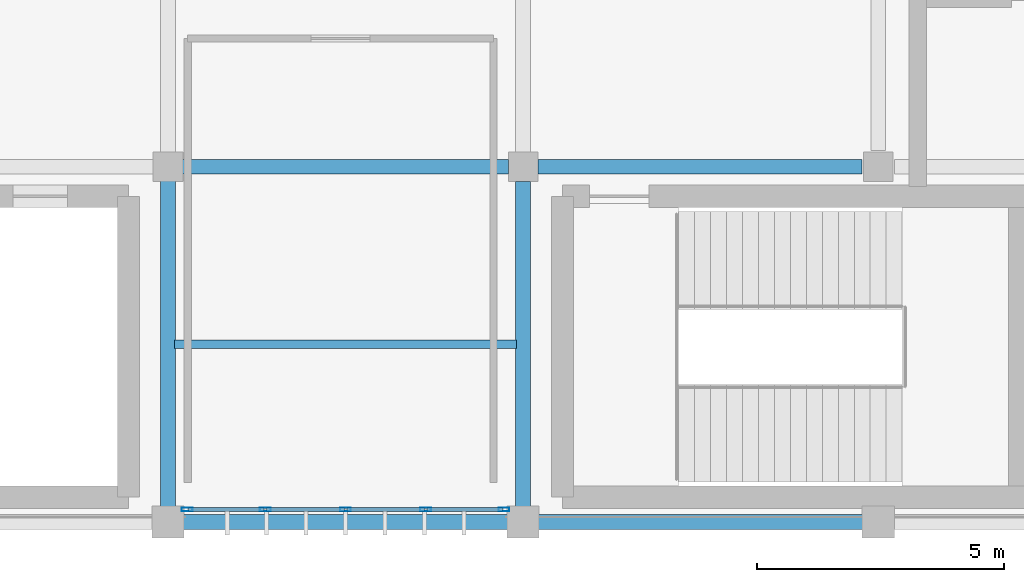
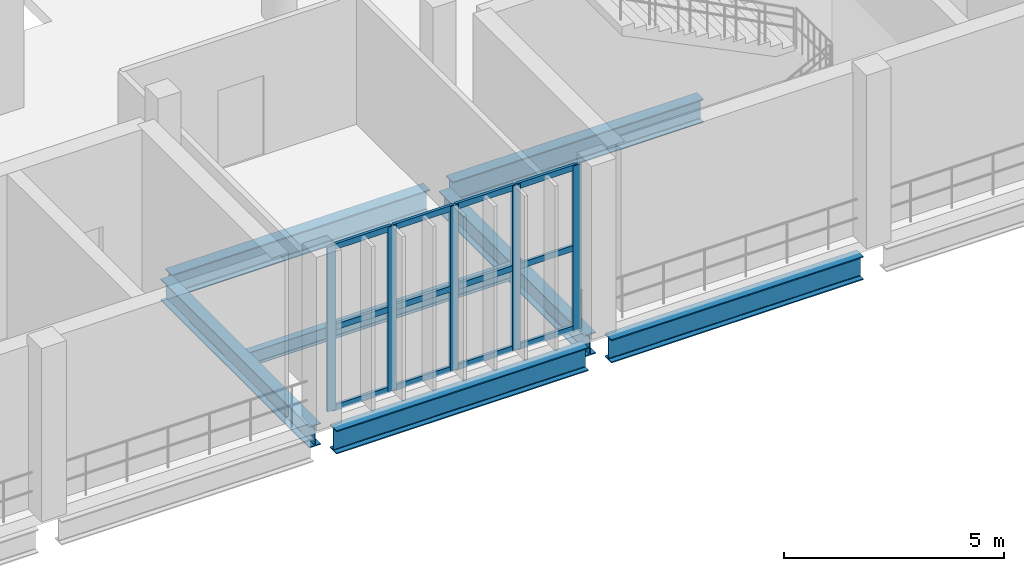
# One storey, part 19 of 105: 17 members, 7 beams, 1 element without a shape of its own.
"""IFC4 building model written with IfcOpenShell, lengths in metres."""

from ifc_helpers import new_model, si_unit, direction, frame, origin, origin_2d, place, context, subcontext, project, spatial, hollow_rectangle, i_section, extrude, material, material_profile, profile_set, type_object, element, aggregate, save


model = new_model("IFC4")

# Units and contexts
model_context = context("Model", 3, precision=1e-05, world=origin(), true_north=direction((0.0, 1.0)))
body_context = subcontext(model_context, "Body", "Model", "MODEL_VIEW")
ifc_project = project(units=[si_unit("LENGTHUNIT", "METRE"), si_unit("AREAUNIT", "SQUARE_METRE"), si_unit("VOLUMEUNIT", "CUBIC_METRE"), si_unit("PLANEANGLEUNIT", "RADIAN"), si_unit("MASSUNIT", "GRAM", prefix="KILO")], contexts=[model_context])

# Site, building, storey
site_placement = place(None, origin())
site = spatial("IfcSite", under=ifc_project, at=site_placement, CompositionType="ELEMENT")
building_placement = place(site_placement, origin())
building = spatial("IfcBuilding", under=site, at=building_placement, Name="Qandorah Velis Arena", CompositionType="ELEMENT")
storey_placement = place(building_placement, frame((0.0, 0.0, 13.800048828125)))
storey = spatial("IfcBuildingStorey", under=building, at=storey_placement, Name="L03", CompositionType="ELEMENT", Elevation=13.800048828125)

# Curtain wall, members
ifc_material_1 = material(Name="Solar-control low-E double glazing", Category="glass")
curtain_wall_type = type_object("IfcCurtainWallType", Name="ARC-CW-SYS21", PredefinedType="USERDEFINED", material=ifc_material_1)
curtain_wall_placement = place(storey_placement, origin())
curtain_wall = element("IfcCurtainWall", 1, at=curtain_wall_placement, inside=storey, type_object=curtain_wall_type, Name="Unitised curtain wall L03-069", ObjectType="UNITISED CURTAIN WALL", PredefinedType="USERDEFINED")
ifc_material_2 = material(Name="Champagne-bronze anodized aluminium 6063-T6", Category="aluminium")
ifc_material_profile_1 = material_profile(ifc_material_2, hollow_rectangle(XDim=0.074951171875, YDim=0.219970703125, WallThickness=0.00390625, at=origin_2d()), Name="ALU MULLION 75x220")
ifc_profile_set_1 = profile_set([ifc_material_profile_1], Name="Champagne-bronze anodized aluminium 6063-T6")
member_type_1 = type_object("IfcMemberType", Name="ARC-CWM-220", PredefinedType="MULLION", material=ifc_profile_set_1)
member_1_placement = place(storey_placement, frame((65.1875, 0.25, -0.01513671875), z_axis=(0.0, 0.0, 1.0), x_axis=(0.0, 1.0, 0.0)))
member_1 = element("IfcMember", 2, at=member_1_placement, type_object=member_type_1, Name="CW21 mullion 1", PredefinedType="MULLION", context=body_context, shape_type="SweptSolid", body=[
    extrude(hollow_rectangle(XDim=0.074951171875, YDim=0.219970703125, WallThickness=0.00390625, at=origin_2d()), origin(), (0.0, 0.0, 1.0), 4.56005859375),
])
member_2_placement = place(storey_placement, frame((66.77490234375, 0.25, -0.01513671875), z_axis=(0.0, 0.0, 1.0), x_axis=(0.0, 1.0, 0.0)))
member_2 = element("IfcMember", 3, at=member_2_placement, type_object=member_type_1, Name="CW21 mullion 2", PredefinedType="MULLION", context=body_context, shape_type="SweptSolid", body=[
    extrude(hollow_rectangle(XDim=0.074951171875, YDim=0.219970703125, WallThickness=0.00390625, at=origin_2d()), origin(), (0.0, 0.0, 1.0), 4.56005859375),
])
member_3_placement = place(storey_placement, frame((68.39990234375, 0.25, -0.01513671875), z_axis=(0.0, 0.0, 1.0), x_axis=(0.0, 1.0, 0.0)))
member_3 = element("IfcMember", 4, at=member_3_placement, type_object=member_type_1, Name="CW21 mullion 3", PredefinedType="MULLION", context=body_context, shape_type="SweptSolid", body=[
    extrude(hollow_rectangle(XDim=0.074951171875, YDim=0.219970703125, WallThickness=0.00390625, at=origin_2d()), origin(), (0.0, 0.0, 1.0), 4.56005859375),
])
member_4_placement = place(storey_placement, frame((70.02490234375, 0.25, -0.01513671875), z_axis=(0.0, 0.0, 1.0), x_axis=(0.0, 1.0, 0.0)))
member_4 = element("IfcMember", 5, at=member_4_placement, type_object=member_type_1, Name="CW21 mullion 4", PredefinedType="MULLION", context=body_context, shape_type="SweptSolid", body=[
    extrude(hollow_rectangle(XDim=0.074951171875, YDim=0.219970703125, WallThickness=0.00390625, at=origin_2d()), origin(), (0.0, 0.0, 1.0), 4.56005859375),
])
member_5_placement = place(storey_placement, frame((71.612548828125, 0.25, -0.01513671875), z_axis=(0.0, 0.0, 1.0), x_axis=(0.0, 1.0, 0.0)))
member_5 = element("IfcMember", 6, at=member_5_placement, type_object=member_type_1, Name="CW21 mullion 5", PredefinedType="MULLION", context=body_context, shape_type="SweptSolid", body=[
    extrude(hollow_rectangle(XDim=0.074951171875, YDim=0.219970703125, WallThickness=0.00390625, at=origin_2d()), origin(), (0.0, 0.0, 1.0), 4.56005859375),
])
ifc_material_profile_2 = material_profile(ifc_material_2, hollow_rectangle(XDim=0.074951171875, YDim=0.159912109375, WallThickness=0.00341796875, at=origin_2d()), Name="ALU TRANSOM 75x160")
ifc_profile_set_2 = profile_set([ifc_material_profile_2], Name="Champagne-bronze anodized aluminium 6063-T6")
member_type_2 = type_object("IfcMemberType", Name="ARC-CWT-160", PredefinedType="USERDEFINED", material=ifc_profile_set_2)
member_6_placement = place(storey_placement, frame((65.212890625, 0.25, 0.037353515625), z_axis=(1.0, 0.0, 0.0), x_axis=(0.0, 1.0, 0.0)))
member_6 = element("IfcMember", 7, at=member_6_placement, type_object=member_type_2, Name="CW21 transom 1.1", ObjectType="TRANSOM", PredefinedType="USERDEFINED", context=body_context, shape_type="SweptSolid", body=[
    extrude(hollow_rectangle(XDim=0.074951171875, YDim=0.159912109375, WallThickness=0.00341796875, at=origin_2d()), origin(), (0.0, 0.0, 1.0), 1.53662109375),
])
member_7_placement = place(storey_placement, frame((65.212890625, 0.25, 2.264892578125), z_axis=(1.0, 0.0, 0.0), x_axis=(0.0, 1.0, 0.0)))
member_7 = element("IfcMember", 8, at=member_7_placement, type_object=member_type_2, Name="CW21 transom 1.2", ObjectType="TRANSOM", PredefinedType="USERDEFINED", context=body_context, shape_type="SweptSolid", body=[
    extrude(hollow_rectangle(XDim=0.074951171875, YDim=0.159912109375, WallThickness=0.00341796875, at=origin_2d()), origin(), (0.0, 0.0, 1.0), 1.53662109375),
])
member_8_placement = place(storey_placement, frame((65.212890625, 0.25, 4.492431640625), z_axis=(1.0, 0.0, 0.0), x_axis=(0.0, 1.0, 0.0)))
member_8 = element("IfcMember", 9, at=member_8_placement, type_object=member_type_2, Name="CW21 transom 1.3", ObjectType="TRANSOM", PredefinedType="USERDEFINED", context=body_context, shape_type="SweptSolid", body=[
    extrude(hollow_rectangle(XDim=0.074951171875, YDim=0.159912109375, WallThickness=0.00341796875, at=origin_2d()), origin(), (0.0, 0.0, 1.0), 1.53662109375),
])
member_9_placement = place(storey_placement, frame((66.800537109375, 0.25, 0.037353515625), z_axis=(1.0, 0.0, 0.0), x_axis=(0.0, 1.0, 0.0)))
member_9 = element("IfcMember", 10, at=member_9_placement, type_object=member_type_2, Name="CW21 transom 2.1", ObjectType="TRANSOM", PredefinedType="USERDEFINED", context=body_context, shape_type="SweptSolid", body=[
    extrude(hollow_rectangle(XDim=0.074951171875, YDim=0.159912109375, WallThickness=0.00341796875, at=origin_2d()), origin(), (0.0, 0.0, 1.0), 1.573974609375),
])
member_10_placement = place(storey_placement, frame((66.800537109375, 0.25, 2.264892578125), z_axis=(1.0, 0.0, 0.0), x_axis=(0.0, 1.0, 0.0)))
member_10 = element("IfcMember", 11, at=member_10_placement, type_object=member_type_2, Name="CW21 transom 2.2", ObjectType="TRANSOM", PredefinedType="USERDEFINED", context=body_context, shape_type="SweptSolid", body=[
    extrude(hollow_rectangle(XDim=0.074951171875, YDim=0.159912109375, WallThickness=0.00341796875, at=origin_2d()), origin(), (0.0, 0.0, 1.0), 1.573974609375),
])
member_11_placement = place(storey_placement, frame((66.800537109375, 0.25, 4.492431640625), z_axis=(1.0, 0.0, 0.0), x_axis=(0.0, 1.0, 0.0)))
member_11 = element("IfcMember", 12, at=member_11_placement, type_object=member_type_2, Name="CW21 transom 2.3", ObjectType="TRANSOM", PredefinedType="USERDEFINED", context=body_context, shape_type="SweptSolid", body=[
    extrude(hollow_rectangle(XDim=0.074951171875, YDim=0.159912109375, WallThickness=0.00341796875, at=origin_2d()), origin(), (0.0, 0.0, 1.0), 1.573974609375),
])
member_12_placement = place(storey_placement, frame((68.425537109375, 0.25, 0.037353515625), z_axis=(1.0, 0.0, 0.0), x_axis=(0.0, 1.0, 0.0)))
member_12 = element("IfcMember", 13, at=member_12_placement, type_object=member_type_2, Name="CW21 transom 3.1", ObjectType="TRANSOM", PredefinedType="USERDEFINED", context=body_context, shape_type="SweptSolid", body=[
    extrude(hollow_rectangle(XDim=0.074951171875, YDim=0.159912109375, WallThickness=0.00341796875, at=origin_2d()), origin(), (0.0, 0.0, 1.0), 1.573974609375),
])
member_13_placement = place(storey_placement, frame((68.425537109375, 0.25, 2.264892578125), z_axis=(1.0, 0.0, 0.0), x_axis=(0.0, 1.0, 0.0)))
member_13 = element("IfcMember", 14, at=member_13_placement, type_object=member_type_2, Name="CW21 transom 3.2", ObjectType="TRANSOM", PredefinedType="USERDEFINED", context=body_context, shape_type="SweptSolid", body=[
    extrude(hollow_rectangle(XDim=0.074951171875, YDim=0.159912109375, WallThickness=0.00341796875, at=origin_2d()), origin(), (0.0, 0.0, 1.0), 1.573974609375),
])
member_14_placement = place(storey_placement, frame((68.425537109375, 0.25, 4.492431640625), z_axis=(1.0, 0.0, 0.0), x_axis=(0.0, 1.0, 0.0)))
member_14 = element("IfcMember", 15, at=member_14_placement, type_object=member_type_2, Name="CW21 transom 3.3", ObjectType="TRANSOM", PredefinedType="USERDEFINED", context=body_context, shape_type="SweptSolid", body=[
    extrude(hollow_rectangle(XDim=0.074951171875, YDim=0.159912109375, WallThickness=0.00341796875, at=origin_2d()), origin(), (0.0, 0.0, 1.0), 1.573974609375),
])
member_15_placement = place(storey_placement, frame((70.050537109375, 0.25, 0.037353515625), z_axis=(1.0, 0.0, 0.0), x_axis=(0.0, 1.0, 0.0)))
member_15 = element("IfcMember", 16, at=member_15_placement, type_object=member_type_2, Name="CW21 transom 4.1", ObjectType="TRANSOM", PredefinedType="USERDEFINED", context=body_context, shape_type="SweptSolid", body=[
    extrude(hollow_rectangle(XDim=0.074951171875, YDim=0.159912109375, WallThickness=0.00341796875, at=origin_2d()), origin(), (0.0, 0.0, 1.0), 1.536376953125),
])
member_16_placement = place(storey_placement, frame((70.050537109375, 0.25, 2.264892578125), z_axis=(1.0, 0.0, 0.0), x_axis=(0.0, 1.0, 0.0)))
member_16 = element("IfcMember", 17, at=member_16_placement, type_object=member_type_2, Name="CW21 transom 4.2", ObjectType="TRANSOM", PredefinedType="USERDEFINED", context=body_context, shape_type="SweptSolid", body=[
    extrude(hollow_rectangle(XDim=0.074951171875, YDim=0.159912109375, WallThickness=0.00341796875, at=origin_2d()), origin(), (0.0, 0.0, 1.0), 1.536376953125),
])
member_17_placement = place(storey_placement, frame((70.050537109375, 0.25, 4.492431640625), z_axis=(1.0, 0.0, 0.0), x_axis=(0.0, 1.0, 0.0)))
member_17 = element("IfcMember", 18, at=member_17_placement, type_object=member_type_2, Name="CW21 transom 4.3", ObjectType="TRANSOM", PredefinedType="USERDEFINED", context=body_context, shape_type="SweptSolid", body=[
    extrude(hollow_rectangle(XDim=0.074951171875, YDim=0.159912109375, WallThickness=0.00341796875, at=origin_2d()), origin(), (0.0, 0.0, 1.0), 1.536376953125),
])
aggregate(curtain_wall, [member_1, member_2, member_3, member_4, member_5, member_6, member_7, member_8, member_9, member_10, member_11, member_12, member_13, member_14, member_15, member_16, member_17])

# Beams
ifc_material_3 = material(Name="Steel S355", Category="steel")
ifc_material_profile_3 = material_profile(ifc_material_3, i_section(OverallWidth=0.300048828125, OverallDepth=0.60009765625, WebThickness=0.015380859375, FlangeThickness=0.030029296875, FilletRadius=0.027099609375, at=origin_2d()), Name="HEB 600")
ifc_profile_set_3 = profile_set([ifc_material_profile_3], Name="Steel S355")
beam_type_1 = type_object("IfcBeamType", Name="STR-BM-HEB600", PredefinedType="BEAM", material=ifc_profile_set_3)
beam_1_placement = place(storey_placement, frame((64.800048828125, 0.300048828125, -0.6201171875), z_axis=(0.0, 1.0, 0.0), x_axis=(-1.0, 0.0, 0.0)))
element("IfcBeam", 19, at=beam_1_placement, inside=storey, type_object=beam_type_1, Name="Primary floor girder L03 Y-254", PredefinedType="BEAM", context=body_context, shape_type="SweptSolid", body=[
    extrude(i_section(OverallWidth=0.300048828125, OverallDepth=0.60009765625, WebThickness=0.015380859375, FlangeThickness=0.030029296875, FilletRadius=0.027099609375, at=origin_2d()), origin(), (0.0, 0.0, 1.0), 6.75),
])
beam_2_placement = place(storey_placement, frame((72.0, 0.300048828125, -0.6201171875), z_axis=(0.0, 1.0, 0.0), x_axis=(-1.0, 0.0, 0.0)))
element("IfcBeam", 20, at=beam_2_placement, inside=storey, type_object=beam_type_1, Name="Primary floor girder L03 Y-258", PredefinedType="BEAM", context=body_context, shape_type="SweptSolid", body=[
    extrude(i_section(OverallWidth=0.300048828125, OverallDepth=0.60009765625, WebThickness=0.015380859375, FlangeThickness=0.030029296875, FilletRadius=0.027099609375, at=origin_2d()), origin(), (0.0, 0.0, 1.0), 6.599853515625),
])
ifc_material_profile_4 = material_profile(ifc_material_3, i_section(OverallWidth=0.300048828125, OverallDepth=0.64990234375, WebThickness=0.01611328125, FlangeThickness=0.031005859375, FilletRadius=0.027099609375, at=origin_2d()), Name="HEB 650")
ifc_profile_set_4 = profile_set([ifc_material_profile_4], Name="Steel S355")
beam_type_2 = type_object("IfcBeamType", Name="STR-BM-HEB650", PredefinedType="BEAM", material=ifc_profile_set_4)
for number, where, z_axis, x_axis, name in (
    (21, (65.10009765625, 0.0, -0.64501953125), (1.0, 0.0, 0.0), (0.0, 1.0, 0.0), "Primary floor girder L03 X-006"),
    (22, (72.300048828125, 0.0, -0.64501953125), (1.0, 0.0, 0.0), (0.0, 1.0, 0.0), "Primary floor girder L03 X-007"),
):
    element("IfcBeam", number, at=place(storey_placement, frame(where, z_axis=z_axis, x_axis=x_axis)), inside=storey, type_object=beam_type_2, Name=name, PredefinedType="BEAM", context=body_context, shape_type="SweptSolid", body=[
        extrude(i_section(OverallWidth=0.300048828125, OverallDepth=0.64990234375, WebThickness=0.01611328125, FlangeThickness=0.031005859375, FilletRadius=0.027099609375, at=origin_2d()), origin(), (0.0, 0.0, 1.0), 6.599853515625),
    ])
beam_3_placement = place(storey_placement, frame((64.949951171875, 7.199951171875, -0.64501953125), z_axis=(1.0, 0.0, 0.0), x_axis=(0.0, 1.0, 0.0)))
element("IfcBeam", 23, at=beam_3_placement, inside=storey, type_object=beam_type_2, Name="Primary floor girder L03 X-018", PredefinedType="BEAM", context=body_context, shape_type="SweptSolid", body=[
    extrude(i_section(OverallWidth=0.300048828125, OverallDepth=0.64990234375, WebThickness=0.01611328125, FlangeThickness=0.031005859375, FilletRadius=0.027099609375, at=origin_2d()), origin(), (0.0, 0.0, 1.0), 6.75),
])
beam_4_placement = place(storey_placement, frame((72.300048828125, 7.199951171875, -0.64501953125), z_axis=(1.0, 0.0, 0.0), x_axis=(0.0, 1.0, 0.0)))
element("IfcBeam", 24, at=beam_4_placement, inside=storey, type_object=beam_type_2, Name="Primary floor girder L03 X-019", PredefinedType="BEAM", context=body_context, shape_type="SweptSolid", body=[
    extrude(i_section(OverallWidth=0.300048828125, OverallDepth=0.64990234375, WebThickness=0.01611328125, FlangeThickness=0.031005859375, FilletRadius=0.027099609375, at=origin_2d()), origin(), (0.0, 0.0, 1.0), 6.574951171875),
])
ifc_material_profile_5 = material_profile(ifc_material_3, i_section(OverallWidth=0.179931640625, OverallDepth=0.39990234375, WebThickness=0.008544921875, FlangeThickness=0.013427734375, FilletRadius=0.02099609375, at=origin_2d()), Name="IPE 400")
ifc_profile_set_5 = profile_set([ifc_material_profile_5], Name="Steel S355")
beam_type_3 = type_object("IfcBeamType", Name="STR-JST-IPE400", PredefinedType="JOIST", material=ifc_profile_set_5)
beam_5_placement = place(storey_placement, frame((64.93505859375, 3.60009765625, -0.52001953125), z_axis=(1.0, 0.0, 0.0), x_axis=(0.0, 1.0, 0.0)))
element("IfcBeam", 25, at=beam_5_placement, inside=storey, type_object=beam_type_3, Name="Secondary floor joist L03-051", PredefinedType="JOIST", context=body_context, shape_type="SweptSolid", body=[
    extrude(i_section(OverallWidth=0.179931640625, OverallDepth=0.39990234375, WebThickness=0.008544921875, FlangeThickness=0.013427734375, FilletRadius=0.02099609375, at=origin_2d()), origin(), (0.0, 0.0, 1.0), 6.929931640625),
])

save(model, "model.ifc")
